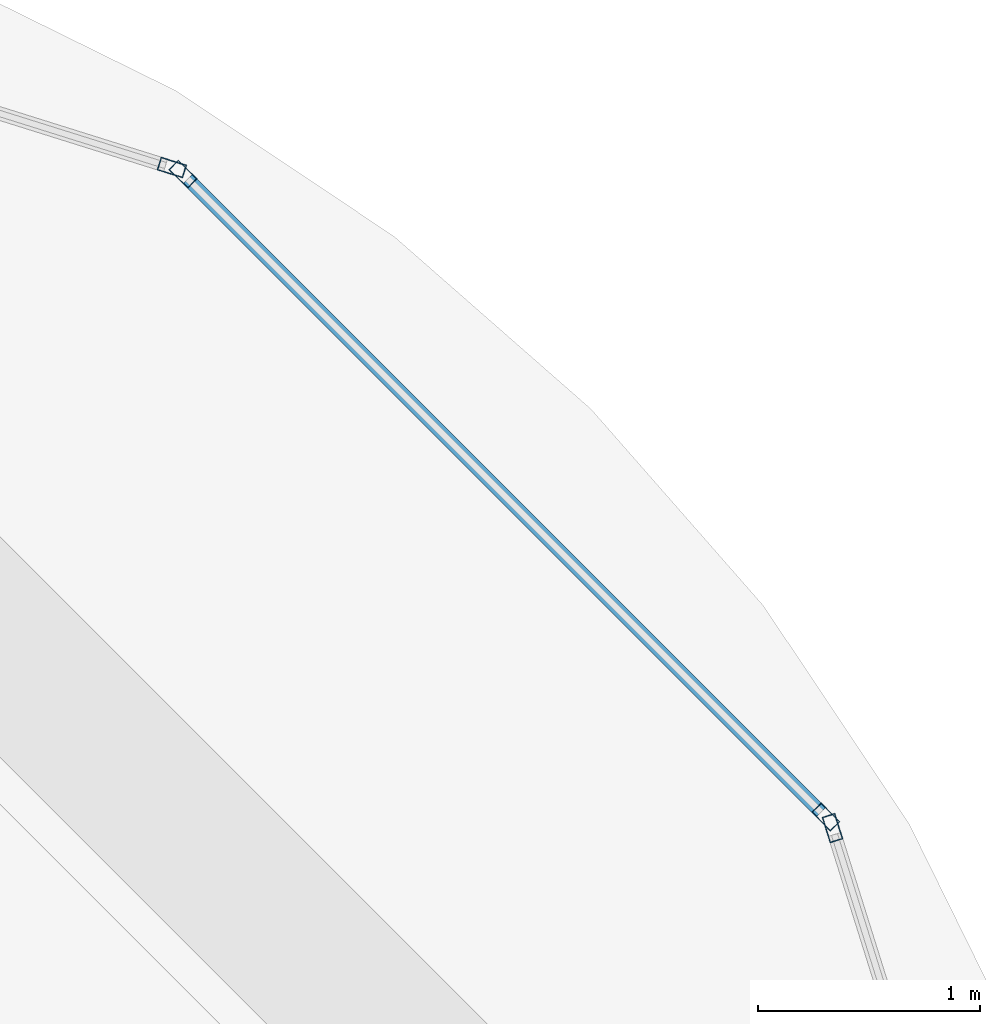
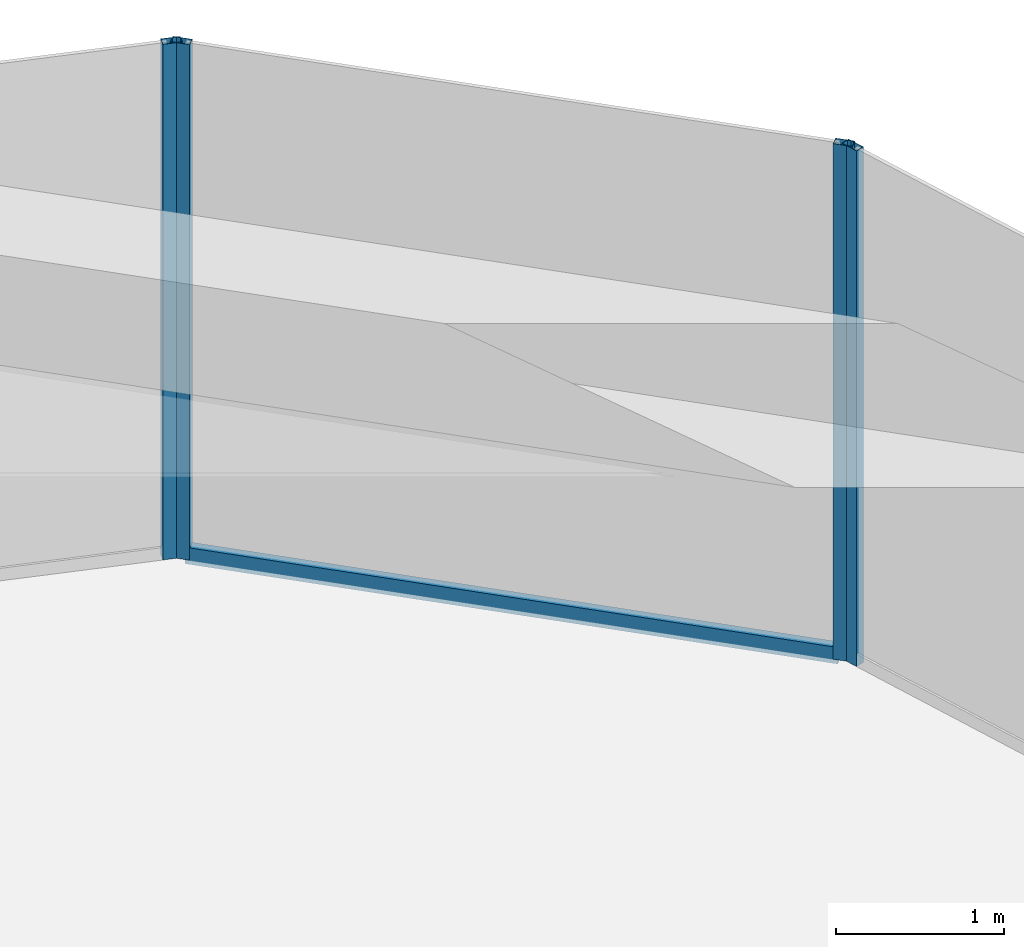
# One storey, part 39 of 45: 5 members, 3 elements without a shape of their own.
"""IFC4 building model written with IfcOpenShell, lengths in metres."""

from ifc_helpers import new_model, si_unit, direction, frame, origin, origin_2d, place, context, subcontext, project, spatial, hollow_rectangle, extrude, material, material_profile, profile_set, type_object, element, aggregate, save


model = new_model("IFC4")

# Units and contexts
model_context = context("Model", 3, precision=1e-05, world=origin(), true_north=direction((0.0, 1.0)))
body_context = subcontext(model_context, "Body", "Model", "MODEL_VIEW")
ifc_project = project(units=[si_unit("LENGTHUNIT", "METRE"), si_unit("AREAUNIT", "SQUARE_METRE"), si_unit("VOLUMEUNIT", "CUBIC_METRE"), si_unit("PLANEANGLEUNIT", "RADIAN"), si_unit("MASSUNIT", "GRAM", prefix="KILO")], contexts=[model_context])

# Site, building, storey
site_placement = place(None, origin())
site = spatial("IfcSite", under=ifc_project, at=site_placement, CompositionType="ELEMENT")
building_placement = place(site_placement, origin())
building = spatial("IfcBuilding", under=site, at=building_placement, Name="Zorevar Civic Tower", CompositionType="ELEMENT")
storey_placement = place(building_placement, frame((0.0, 0.0, 291.39990234375)))
storey = spatial("IfcBuildingStorey", under=building, at=storey_placement, Name="L71", CompositionType="ELEMENT", Elevation=291.39990234375)

# Curtain wall, member
ifc_material_1 = material(Name="Dark grey solar-control glass in black aluminium frame", Category="aluminium")
curtain_wall_type = type_object("IfcCurtainWallType", Name="Curtain wall CW5 top zone", PredefinedType="NOTDEFINED", material=ifc_material_1)
curtain_wall_1_placement = place(storey_placement, origin())
curtain_wall_1 = element("IfcCurtainWall", 1, at=curtain_wall_1_placement, inside=storey, type_object=curtain_wall_type, Name="CW5 L71", PredefinedType="NOTDEFINED")
ifc_material_2 = material(Name="Aluminium, black anodised", Category="aluminium")
ifc_material_profile_1 = material_profile(ifc_material_2, hollow_rectangle(XDim=0.06005859375, YDim=0.1201171875, WallThickness=0.0029296875, at=origin_2d()), Name="AL 120x60x3")
ifc_profile_set_1 = profile_set([ifc_material_profile_1], Name="Aluminium, black anodised")
member_type_1 = type_object("IfcMemberType", Name="CW5 mullion AL 120x60x3", PredefinedType="MULLION", material=ifc_profile_set_1)
member_1_placement = place(storey_placement, frame((52.449951171875, 40.479248046875, 0.0), z_axis=(0.0, 0.0, 1.0), x_axis=(-0.954153437674, -0.299317920238, 0.0)))
member_1 = element("IfcMember", 2, at=member_1_placement, type_object=member_type_1, Name="CW5 mullion 2", PredefinedType="MULLION", context=body_context, shape_type="SweptSolid", body=[
    extrude(hollow_rectangle(XDim=0.06005859375, YDim=0.1201171875, WallThickness=0.0029296875, at=origin_2d()), origin(), (0.0, 0.0, 1.0), 3.75),
])
aggregate(curtain_wall_1, [member_1])

# Curtain wall, members
curtain_wall_2_placement = place(storey_placement, origin())
curtain_wall_2 = element("IfcCurtainWall", 3, at=curtain_wall_2_placement, inside=storey, type_object=curtain_wall_type, Name="CW5 L71", PredefinedType="NOTDEFINED")
member_2_placement = place(storey_placement, frame((52.419677734375, 40.529052734375, 0.0), z_axis=(0.0, 0.0, 1.0), x_axis=(-0.707106781187, -0.707106781187, 0.0)))
member_2 = element("IfcMember", 4, at=member_2_placement, type_object=member_type_1, Name="CW5 mullion 1", PredefinedType="MULLION", context=body_context, shape_type="SweptSolid", body=[
    extrude(hollow_rectangle(XDim=0.06005859375, YDim=0.1201171875, WallThickness=0.0029296875, at=origin_2d()), origin(), (0.0, 0.0, 1.0), 3.75),
])
member_3_placement = place(storey_placement, frame((49.529052734375, 43.419677734375, 0.0), z_axis=(0.0, 0.0, 1.0), x_axis=(-0.707106781187, -0.707106781187, 0.0)))
member_3 = element("IfcMember", 5, at=member_3_placement, type_object=member_type_1, Name="CW5 mullion 2", PredefinedType="MULLION", context=body_context, shape_type="SweptSolid", body=[
    extrude(hollow_rectangle(XDim=0.06005859375, YDim=0.1201171875, WallThickness=0.0029296875, at=origin_2d()), origin(), (0.0, 0.0, 1.0), 3.75),
])

# Curtain wall, member
curtain_wall_3_placement = place(storey_placement, origin())
curtain_wall_3 = element("IfcCurtainWall", 6, at=curtain_wall_3_placement, inside=storey, type_object=curtain_wall_type, Name="CW5 L71", PredefinedType="NOTDEFINED")
member_4_placement = place(storey_placement, frame((49.479248046875, 43.449951171875, 0.0), z_axis=(0.0, 0.0, 1.0), x_axis=(-0.299317920238, -0.954153437674, 0.0)))
member_4 = element("IfcMember", 7, at=member_4_placement, type_object=member_type_1, Name="CW5 mullion 1", PredefinedType="MULLION", context=body_context, shape_type="SweptSolid", body=[
    extrude(hollow_rectangle(XDim=0.06005859375, YDim=0.1201171875, WallThickness=0.0029296875, at=origin_2d()), origin(), (0.0, 0.0, 1.0), 3.75),
])
aggregate(curtain_wall_3, [member_4])

# Member
ifc_material_3 = material(Name="Aluminium, black anodised", Category="aluminium")
ifc_material_profile_2 = material_profile(ifc_material_3, hollow_rectangle(XDim=0.06005859375, YDim=0.1201171875, WallThickness=0.0029296875, at=origin_2d()), Name="AL 120x60x3")
ifc_profile_set_2 = profile_set([ifc_material_profile_2], Name="Aluminium, black anodised")
member_type_2 = type_object("IfcMemberType", Name="CW5 transom AL 120x60x3", PredefinedType="USERDEFINED", material=ifc_profile_set_2)
member_5_placement = place(storey_placement, frame((52.3984375, 40.55029296875, 0.030029296875), z_axis=(-0.707106781187, 0.707106781187, 0.0), x_axis=(-0.707106781187, -0.707106781187, 0.0)))
member_5 = element("IfcMember", 8, at=member_5_placement, type_object=member_type_2, Name="CW5 sill transom", ObjectType="TRANSOM", PredefinedType="USERDEFINED", context=body_context, shape_type="SweptSolid", body=[
    extrude(hollow_rectangle(XDim=0.06005859375, YDim=0.1201171875, WallThickness=0.0029296875, at=origin_2d()), origin(), (0.0, 0.0, 1.0), 4.02783203125),
])

aggregate(curtain_wall_2, [member_2, member_3, member_5])

save(model, "model.ifc")
